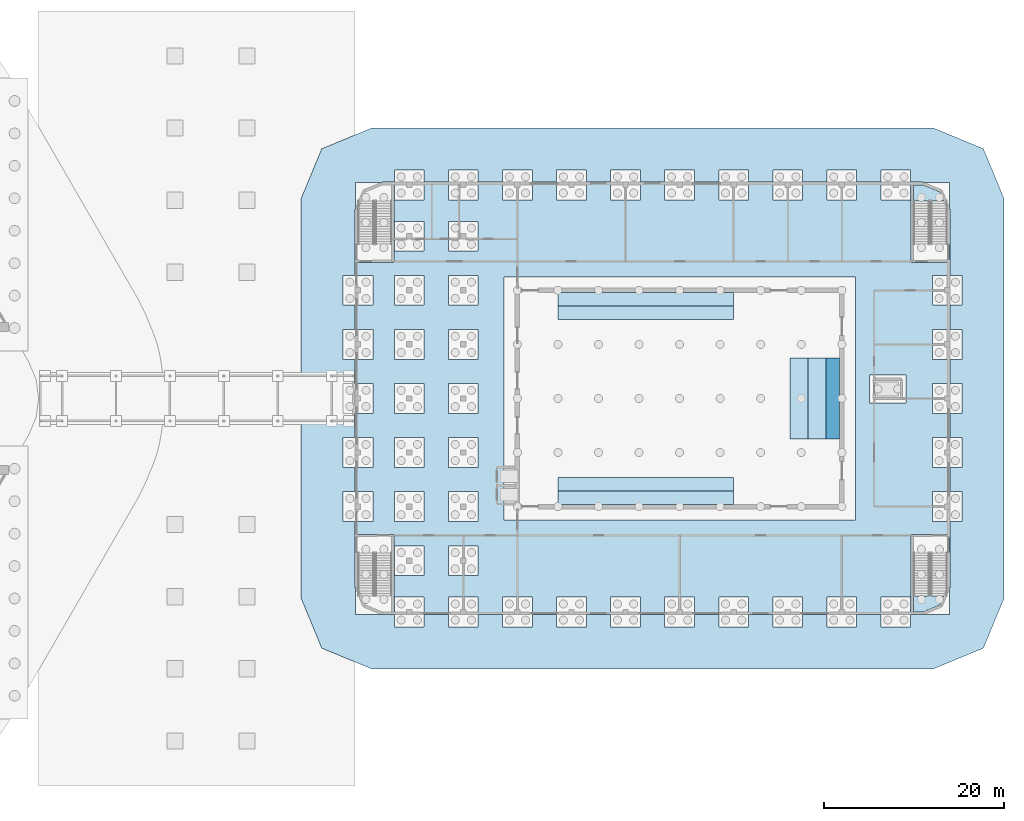
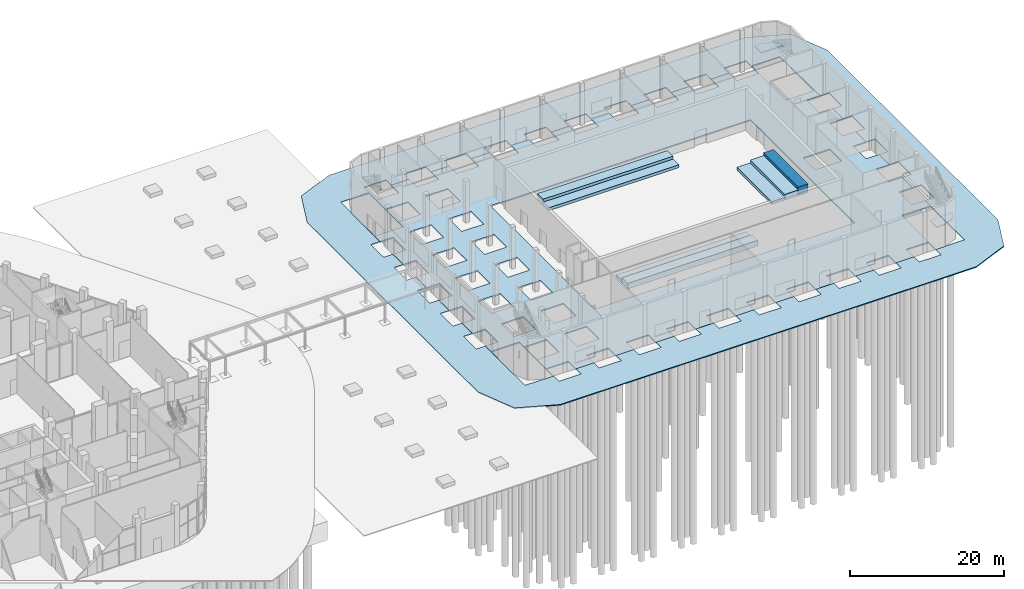
# One storey, part 23 of 44: 11 slabs, 2 elements without a shape of their own.
"""IFC4 building model written with IfcOpenShell, lengths in metres."""

from ifc_helpers import new_model, si_unit, direction, frame, origin, place, context, subcontext, project, spatial, polyline, outline, extrude, material, layer, layer_set, type_object, element, aggregate, save


model = new_model("IFC4")

# Units and contexts
model_context = context("Model", 3, precision=1e-05, world=origin(), true_north=direction((0.0, 1.0)))
body_context = subcontext(model_context, "Body", "Model", "MODEL_VIEW")
ifc_project = project(units=[si_unit("LENGTHUNIT", "METRE"), si_unit("AREAUNIT", "SQUARE_METRE"), si_unit("VOLUMEUNIT", "CUBIC_METRE"), si_unit("PLANEANGLEUNIT", "RADIAN"), si_unit("MASSUNIT", "GRAM", prefix="KILO")], contexts=[model_context])

# Site, building, storey
site_placement = place(None, origin())
site = spatial("IfcSite", under=ifc_project, at=site_placement, CompositionType="ELEMENT")
building_placement = place(site_placement, origin())
building = spatial("IfcBuilding", under=site, at=building_placement, Name="Nakaniwa Court", CompositionType="ELEMENT")
storey_placement = place(building_placement, origin())
storey = spatial("IfcBuildingStorey", under=building, at=storey_placement, Name="L00", CompositionType="ELEMENT", Elevation=0.0)

# Slabs
ifc_material_1 = material(Name="Concrete C32/40 pavers on compacted base", Category="concrete")
ifc_layer_1 = layer(ifc_material_1, 0.14990234375)
ifc_layer_set_1 = layer_set([ifc_layer_1], Name="Concrete C32/40 pavers on compacted base")
slab_type_1 = type_object("IfcSlabType", Name="Garden paving slab 150", PredefinedType="USERDEFINED", material=ifc_layer_set_1)
slab_1_placement = place(storey_placement, frame((0.0, 0.0, -0.14990234375)))
element("IfcSlab", 1, at=slab_1_placement, inside=storey, type_object=slab_type_1, Name="Hall forecourt paving 1", ObjectType="PAVING", PredefinedType="USERDEFINED", context=body_context, shape_type="SweptSolid", body=[
    extrude(outline(polyline([(221.71337890625, 52.28662109375), (224.0, 57.806396484375), (224.0, 102.193603515625), (221.71337890625, 107.71337890625), (216.193603515625, 110.0), (153.806396484375, 110.0), (148.28662109375, 107.71337890625), (146.0, 102.193603515625), (146.0, 57.806396484375), (148.28662109375, 52.28662109375), (153.806396484375, 50.0), (216.193603515625, 50.0), (221.71337890625, 52.28662109375)]), holes=[polyline([(218.0, 101.0), (218.0, 93.64990234375), (219.35009765625, 93.64990234375), (219.35009765625, 90.35009765625), (218.0, 90.35009765625), (218.0, 87.64990234375), (219.35009765625, 87.64990234375), (219.35009765625, 84.35009765625), (218.0, 84.35009765625), (218.0, 81.64990234375), (219.35009765625, 81.64990234375), (219.35009765625, 78.35009765625), (218.0, 78.35009765625), (218.0, 75.64990234375), (219.35009765625, 75.64990234375), (219.35009765625, 72.35009765625), (218.0, 72.35009765625), (218.0, 69.64990234375), (219.35009765625, 69.64990234375), (219.35009765625, 66.35009765625), (218.0, 66.35009765625), (218.0, 59.0), (217.949951171875, 58.87939453125), (217.949951171875, 56.050048828125), (215.12060546875, 56.050048828125), (215.0, 56.0), (213.64990234375, 56.0), (213.64990234375, 54.64990234375), (210.35009765625, 54.64990234375), (210.35009765625, 56.0), (207.64990234375, 56.0), (207.64990234375, 54.64990234375), (204.35009765625, 54.64990234375), (204.35009765625, 56.0), (201.64990234375, 56.0), (201.64990234375, 54.64990234375), (198.35009765625, 54.64990234375), (198.35009765625, 56.0), (195.64990234375, 56.0), (195.64990234375, 54.64990234375), (192.35009765625, 54.64990234375), (192.35009765625, 56.0), (189.64990234375, 56.0), (189.64990234375, 54.64990234375), (186.35009765625, 54.64990234375), (186.35009765625, 56.0), (183.64990234375, 56.0), (183.64990234375, 54.64990234375), (180.35009765625, 54.64990234375), (180.35009765625, 56.0), (177.64990234375, 56.0), (177.64990234375, 54.64990234375), (174.35009765625, 54.64990234375), (174.35009765625, 56.0), (171.64990234375, 56.0), (171.64990234375, 54.64990234375), (168.35009765625, 54.64990234375), (168.35009765625, 56.0), (165.64990234375, 56.0), (165.64990234375, 54.64990234375), (162.35009765625, 54.64990234375), (162.35009765625, 56.0), (159.64990234375, 56.0), (159.64990234375, 54.64990234375), (156.35009765625, 54.64990234375), (156.35009765625, 56.0), (155.0, 56.0), (154.87939453125, 56.050048828125), (152.050048828125, 56.050048828125), (152.050048828125, 58.87939453125), (152.0, 59.0), (152.0, 66.35009765625), (150.64990234375, 66.35009765625), (150.64990234375, 69.64990234375), (152.0, 69.64990234375), (152.0, 72.35009765625), (150.64990234375, 72.35009765625), (150.64990234375, 75.64990234375), (152.0, 75.64990234375), (152.0, 78.35009765625), (150.64990234375, 78.35009765625), (150.64990234375, 81.64990234375), (152.0, 81.64990234375), (152.0, 84.35009765625), (150.64990234375, 84.35009765625), (150.64990234375, 87.64990234375), (152.0, 87.64990234375), (152.0, 90.35009765625), (150.64990234375, 90.35009765625), (150.64990234375, 93.64990234375), (152.0, 93.64990234375), (152.0, 101.0), (152.050048828125, 101.12060546875), (152.050048828125, 103.949951171875), (154.87939453125, 103.949951171875), (155.0, 104.0), (156.35009765625, 104.0), (156.35009765625, 105.35009765625), (159.64990234375, 105.35009765625), (159.64990234375, 104.0), (162.35009765625, 104.0), (162.35009765625, 105.35009765625), (165.64990234375, 105.35009765625), (165.64990234375, 104.0), (168.35009765625, 104.0), (168.35009765625, 105.35009765625), (171.64990234375, 105.35009765625), (171.64990234375, 104.0), (174.35009765625, 104.0), (174.35009765625, 105.35009765625), (177.64990234375, 105.35009765625), (177.64990234375, 104.0), (180.35009765625, 104.0), (180.35009765625, 105.35009765625), (183.64990234375, 105.35009765625), (183.64990234375, 104.0), (186.35009765625, 104.0), (186.35009765625, 105.35009765625), (189.64990234375, 105.35009765625), (189.64990234375, 104.0), (192.35009765625, 104.0), (192.35009765625, 105.35009765625), (195.64990234375, 105.35009765625), (195.64990234375, 104.0), (198.35009765625, 104.0), (198.35009765625, 105.35009765625), (201.64990234375, 105.35009765625), (201.64990234375, 104.0), (204.35009765625, 104.0), (204.35009765625, 105.35009765625), (207.64990234375, 105.35009765625), (207.64990234375, 104.0), (210.35009765625, 104.0), (210.35009765625, 105.35009765625), (213.64990234375, 105.35009765625), (213.64990234375, 104.0), (215.0, 104.0), (215.12060546875, 103.949951171875), (217.949951171875, 103.949951171875), (217.949951171875, 101.12060546875), (218.0, 101.0)])]), origin(), (0.0, 0.0, 1.0), 0.14990234375),
])
ifc_material_2 = material(Name="Concrete C40/50", Category="concrete")
ifc_layer_2 = layer(ifc_material_2, 0.199951171875)
ifc_layer_set_2 = layer_set([ifc_layer_2], Name="Concrete C40/50")
slab_type_2 = type_object("IfcSlabType", Name="Hall ground slab 200", PredefinedType="BASESLAB", material=ifc_layer_set_2)
slab_2_placement = place(storey_placement, frame((0.0, 0.0, -0.199951171875)))
element("IfcSlab", 2, at=slab_2_placement, inside=storey, type_object=slab_type_2, Name="Hall ground slab 1", PredefinedType="BASESLAB", context=body_context, shape_type="SweptSolid", body=[
    extrude(outline(polyline([(218.0, 59.0), (218.0, 66.35009765625), (216.050048828125, 66.35009765625), (216.050048828125, 69.64990234375), (218.0, 69.64990234375), (218.0, 72.35009765625), (216.050048828125, 72.35009765625), (216.050048828125, 75.64990234375), (218.0, 75.64990234375), (218.0, 78.35009765625), (216.050048828125, 78.35009765625), (216.050048828125, 81.64990234375), (218.0, 81.64990234375), (218.0, 84.35009765625), (216.050048828125, 84.35009765625), (216.050048828125, 87.64990234375), (218.0, 87.64990234375), (218.0, 90.35009765625), (216.050048828125, 90.35009765625), (216.050048828125, 93.64990234375), (218.0, 93.64990234375), (218.0, 101.0), (217.949951171875, 101.12060546875), (217.949951171875, 95.090087890625), (213.699951171875, 95.090087890625), (213.699951171875, 103.949951171875), (215.12060546875, 103.949951171875), (215.0, 104.0), (213.64990234375, 104.0), (213.64990234375, 102.050048828125), (210.35009765625, 102.050048828125), (210.35009765625, 104.0), (207.64990234375, 104.0), (207.64990234375, 102.050048828125), (204.35009765625, 102.050048828125), (204.35009765625, 104.0), (201.64990234375, 104.0), (201.64990234375, 102.050048828125), (198.35009765625, 102.050048828125), (198.35009765625, 104.0), (195.64990234375, 104.0), (195.64990234375, 102.050048828125), (192.35009765625, 102.050048828125), (192.35009765625, 104.0), (189.64990234375, 104.0), (189.64990234375, 102.050048828125), (186.35009765625, 102.050048828125), (186.35009765625, 104.0), (183.64990234375, 104.0), (183.64990234375, 102.050048828125), (180.35009765625, 102.050048828125), (180.35009765625, 104.0), (177.64990234375, 104.0), (177.64990234375, 102.050048828125), (174.35009765625, 102.050048828125), (174.35009765625, 104.0), (171.64990234375, 104.0), (171.64990234375, 102.050048828125), (168.35009765625, 102.050048828125), (168.35009765625, 104.0), (165.64990234375, 104.0), (165.64990234375, 102.050048828125), (162.35009765625, 102.050048828125), (162.35009765625, 104.0), (159.64990234375, 104.0), (159.64990234375, 102.050048828125), (156.35009765625, 102.050048828125), (156.35009765625, 104.0), (155.0, 104.0), (154.87939453125, 103.949951171875), (156.300048828125, 103.949951171875), (156.300048828125, 95.090087890625), (152.050048828125, 95.090087890625), (152.050048828125, 101.12060546875), (152.0, 101.0), (152.0, 93.64990234375), (153.949951171875, 93.64990234375), (153.949951171875, 90.35009765625), (152.0, 90.35009765625), (152.0, 87.64990234375), (153.949951171875, 87.64990234375), (153.949951171875, 84.35009765625), (152.0, 84.35009765625), (152.0, 81.64990234375), (153.949951171875, 81.64990234375), (153.949951171875, 78.35009765625), (152.0, 78.35009765625), (152.0, 75.64990234375), (153.949951171875, 75.64990234375), (153.949951171875, 72.35009765625), (152.0, 72.35009765625), (152.0, 69.64990234375), (153.949951171875, 69.64990234375), (153.949951171875, 66.35009765625), (152.0, 66.35009765625), (152.0, 59.0), (152.050048828125, 58.87939453125), (152.050048828125, 64.909912109375), (156.300048828125, 64.909912109375), (156.300048828125, 56.050048828125), (154.87939453125, 56.050048828125), (155.0, 56.0), (156.35009765625, 56.0), (156.35009765625, 57.949951171875), (159.64990234375, 57.949951171875), (159.64990234375, 56.0), (162.35009765625, 56.0), (162.35009765625, 57.949951171875), (165.64990234375, 57.949951171875), (165.64990234375, 56.0), (168.35009765625, 56.0), (168.35009765625, 57.949951171875), (171.64990234375, 57.949951171875), (171.64990234375, 56.0), (174.35009765625, 56.0), (174.35009765625, 57.949951171875), (177.64990234375, 57.949951171875), (177.64990234375, 56.0), (180.35009765625, 56.0), (180.35009765625, 57.949951171875), (183.64990234375, 57.949951171875), (183.64990234375, 56.0), (186.35009765625, 56.0), (186.35009765625, 57.949951171875), (189.64990234375, 57.949951171875), (189.64990234375, 56.0), (192.35009765625, 56.0), (192.35009765625, 57.949951171875), (195.64990234375, 57.949951171875), (195.64990234375, 56.0), (198.35009765625, 56.0), (198.35009765625, 57.949951171875), (201.64990234375, 57.949951171875), (201.64990234375, 56.0), (204.35009765625, 56.0), (204.35009765625, 57.949951171875), (207.64990234375, 57.949951171875), (207.64990234375, 56.0), (210.35009765625, 56.0), (210.35009765625, 57.949951171875), (213.64990234375, 57.949951171875), (213.64990234375, 56.0), (215.0, 56.0), (215.12060546875, 56.050048828125), (213.699951171875, 56.050048828125), (213.699951171875, 64.909912109375), (217.949951171875, 64.909912109375), (217.949951171875, 58.87939453125), (218.0, 59.0)]), holes=[polyline([(156.35009765625, 63.64990234375), (159.64990234375, 63.64990234375), (159.64990234375, 60.35009765625), (156.35009765625, 60.35009765625), (156.35009765625, 63.64990234375)]), polyline([(156.35009765625, 69.64990234375), (159.64990234375, 69.64990234375), (159.64990234375, 66.35009765625), (156.35009765625, 66.35009765625), (156.35009765625, 69.64990234375)]), polyline([(156.35009765625, 72.35009765625), (156.35009765625, 75.64990234375), (159.64990234375, 75.64990234375), (159.64990234375, 72.35009765625), (156.35009765625, 72.35009765625)]), polyline([(162.35009765625, 81.64990234375), (165.64990234375, 81.64990234375), (165.64990234375, 78.35009765625), (162.35009765625, 78.35009765625), (162.35009765625, 81.64990234375)]), polyline([(156.35009765625, 78.35009765625), (156.35009765625, 81.64990234375), (159.64990234375, 81.64990234375), (159.64990234375, 78.35009765625), (156.35009765625, 78.35009765625)]), polyline([(156.35009765625, 87.64990234375), (159.64990234375, 87.64990234375), (159.64990234375, 84.35009765625), (156.35009765625, 84.35009765625), (156.35009765625, 87.64990234375)]), polyline([(156.35009765625, 90.35009765625), (156.35009765625, 93.64990234375), (159.64990234375, 93.64990234375), (159.64990234375, 90.35009765625), (156.35009765625, 90.35009765625)]), polyline([(156.35009765625, 99.64990234375), (159.64990234375, 99.64990234375), (159.64990234375, 96.35009765625), (156.35009765625, 96.35009765625), (156.35009765625, 99.64990234375)]), polyline([(162.35009765625, 63.64990234375), (165.64990234375, 63.64990234375), (165.64990234375, 60.35009765625), (162.35009765625, 60.35009765625), (162.35009765625, 63.64990234375)]), polyline([(162.35009765625, 69.64990234375), (165.64990234375, 69.64990234375), (165.64990234375, 66.35009765625), (162.35009765625, 66.35009765625), (162.35009765625, 69.64990234375)]), polyline([(162.35009765625, 75.64990234375), (165.64990234375, 75.64990234375), (165.64990234375, 72.35009765625), (162.35009765625, 72.35009765625), (162.35009765625, 75.64990234375)]), polyline([(168.5, 66.5), (168.5, 93.5), (207.5, 93.5), (207.5, 66.5), (168.5, 66.5)]), polyline([(162.35009765625, 87.64990234375), (165.64990234375, 87.64990234375), (165.64990234375, 84.35009765625), (162.35009765625, 84.35009765625), (162.35009765625, 87.64990234375)]), polyline([(162.35009765625, 93.64990234375), (165.64990234375, 93.64990234375), (165.64990234375, 90.35009765625), (162.35009765625, 90.35009765625), (162.35009765625, 93.64990234375)]), polyline([(162.35009765625, 96.35009765625), (162.35009765625, 99.64990234375), (165.64990234375, 99.64990234375), (165.64990234375, 96.35009765625), (162.35009765625, 96.35009765625)]), polyline([(209.10009765625, 82.60009765625), (213.10009765625, 82.60009765625), (213.10009765625, 79.5), (209.10009765625, 79.5), (209.10009765625, 82.60009765625)])]), origin(), (0.0, 0.0, 1.0), 0.199951171875),
])

# Stair, slab
stair_type = type_object("IfcStairType", Name="Hall exit stair 36 risers", PredefinedType="HALF_TURN_STAIR", material=ifc_material_2)
stair_1_placement = place(storey_placement, origin())
stair_1 = element("IfcStair", 3, at=stair_1_placement, inside=storey, type_object=stair_type, Name="L00 Exit stair 3", PredefinedType="HALF_TURN_STAIR")
ifc_layer_3 = layer(ifc_material_2, 0.199951171875)
ifc_layer_set_3 = layer_set([ifc_layer_3], Name="Concrete C40/50")
slab_type_3 = type_object("IfcSlabType", Name="Hall stair landing 200", PredefinedType="LANDING", material=ifc_layer_set_3)
slab_3_placement = place(storey_placement, frame((0.0, 0.0, 3.10009765625)))
slab_3 = element("IfcSlab", 4, at=slab_3_placement, type_object=slab_type_3, Name="ST-H3 landing 1", PredefinedType="LANDING", context=body_context, shape_type="SweptSolid", body=[
    extrude(outline(polyline([(213.949951171875, 56.300048828125), (215.0, 56.300048828125), (216.9091796875, 57.0908203125), (217.3271484375, 58.10009765625), (213.949951171875, 58.10009765625), (213.949951171875, 56.300048828125)])), origin(), (0.0, 0.0, 1.0), 0.199951171875),
])
aggregate(stair_1, [slab_3])

stair_2_placement = place(storey_placement, origin())
stair_2 = element("IfcStair", 5, at=stair_2_placement, inside=storey, type_object=stair_type, Name="L00 Exit stair 4", PredefinedType="HALF_TURN_STAIR")
slab_4_placement = place(storey_placement, frame((0.0, 0.0, 3.10009765625)))
slab_4 = element("IfcSlab", 6, at=slab_4_placement, type_object=slab_type_3, Name="ST-H4 landing 1", PredefinedType="LANDING", context=body_context, shape_type="SweptSolid", body=[
    extrude(outline(polyline([(213.949951171875, 103.699951171875), (213.949951171875, 101.89990234375), (217.3271484375, 101.89990234375), (216.9091796875, 102.9091796875), (215.0, 103.699951171875), (213.949951171875, 103.699951171875)])), origin(), (0.0, 0.0, 1.0), 0.199951171875),
])
aggregate(stair_2, [slab_4])

# Slabs
ifc_layer_4 = layer(ifc_material_2, 1.35009765625)
ifc_layer_set_4 = layer_set([ifc_layer_4], Name="Concrete C40/50")
slab_type_4 = type_object("IfcSlabType", Name="Terrace step slab 1350", PredefinedType="FLOOR", material=ifc_layer_set_4)
slab_5_placement = place(storey_placement, origin())
element("IfcSlab", 7, at=slab_5_placement, inside=storey, type_object=slab_type_4, Name="Choir terrace C3", PredefinedType="FLOOR", context=body_context, shape_type="SweptSolid", body=[
    extrude(outline(polyline([(205.75, 75.5), (205.75, 84.5), (204.25, 84.5), (204.25, 75.5), (205.75, 75.5)])), origin(), (0.0, 0.0, 1.0), 1.35009765625),
])
ifc_layer_5 = layer(ifc_material_2, 0.449951171875)
ifc_layer_set_5 = layer_set([ifc_layer_5], Name="Concrete C40/50")
slab_type_5 = type_object("IfcSlabType", Name="Terrace step slab 450", PredefinedType="FLOOR", material=ifc_layer_set_5)
slab_6_placement = place(storey_placement, origin())
element("IfcSlab", 8, at=slab_6_placement, inside=storey, type_object=slab_type_5, Name="Stalls side terrace SB", PredefinedType="FLOOR", context=body_context, shape_type="SweptSolid", body=[
    extrude(outline(polyline([(194.0, 69.75), (194.0, 71.25), (174.5, 71.25), (174.5, 69.75), (194.0, 69.75)])), origin(), (0.0, 0.0, 1.0), 0.449951171875),
])
slab_7_placement = place(storey_placement, origin())
element("IfcSlab", 9, at=slab_7_placement, inside=storey, type_object=slab_type_5, Name="Stalls side terrace NB", PredefinedType="FLOOR", context=body_context, shape_type="SweptSolid", body=[
    extrude(outline(polyline([(194.0, 88.75), (194.0, 90.25), (174.5, 90.25), (174.5, 88.75), (194.0, 88.75)])), origin(), (0.0, 0.0, 1.0), 0.449951171875),
])
slab_8_placement = place(storey_placement, origin())
element("IfcSlab", 10, at=slab_8_placement, inside=storey, type_object=slab_type_5, Name="Choir terrace C1", PredefinedType="FLOOR", context=body_context, shape_type="SweptSolid", body=[
    extrude(outline(polyline([(202.25, 75.5), (202.25, 84.5), (200.25, 84.5), (200.25, 75.5), (202.25, 75.5)])), origin(), (0.0, 0.0, 1.0), 0.449951171875),
])
ifc_layer_6 = layer(ifc_material_2, 0.89990234375)
ifc_layer_set_6 = layer_set([ifc_layer_6], Name="Concrete C40/50")
slab_type_6 = type_object("IfcSlabType", Name="Terrace step slab 900", PredefinedType="FLOOR", material=ifc_layer_set_6)
slab_9_placement = place(storey_placement, origin())
element("IfcSlab", 11, at=slab_9_placement, inside=storey, type_object=slab_type_6, Name="Stalls side terrace SA", PredefinedType="FLOOR", context=body_context, shape_type="SweptSolid", body=[
    extrude(outline(polyline([(194.0, 68.25), (194.0, 69.75), (174.5, 69.75), (174.5, 68.25), (194.0, 68.25)])), origin(), (0.0, 0.0, 1.0), 0.89990234375),
])
slab_10_placement = place(storey_placement, origin())
element("IfcSlab", 12, at=slab_10_placement, inside=storey, type_object=slab_type_6, Name="Stalls side terrace NA", PredefinedType="FLOOR", context=body_context, shape_type="SweptSolid", body=[
    extrude(outline(polyline([(194.0, 90.25), (194.0, 91.75), (174.5, 91.75), (174.5, 90.25), (194.0, 90.25)])), origin(), (0.0, 0.0, 1.0), 0.89990234375),
])
slab_11_placement = place(storey_placement, origin())
element("IfcSlab", 13, at=slab_11_placement, inside=storey, type_object=slab_type_6, Name="Choir terrace C2", PredefinedType="FLOOR", context=body_context, shape_type="SweptSolid", body=[
    extrude(outline(polyline([(204.25, 75.5), (204.25, 84.5), (202.25, 84.5), (202.25, 75.5), (204.25, 75.5)])), origin(), (0.0, 0.0, 1.0), 0.89990234375),
])

save(model, "model.ifc")
